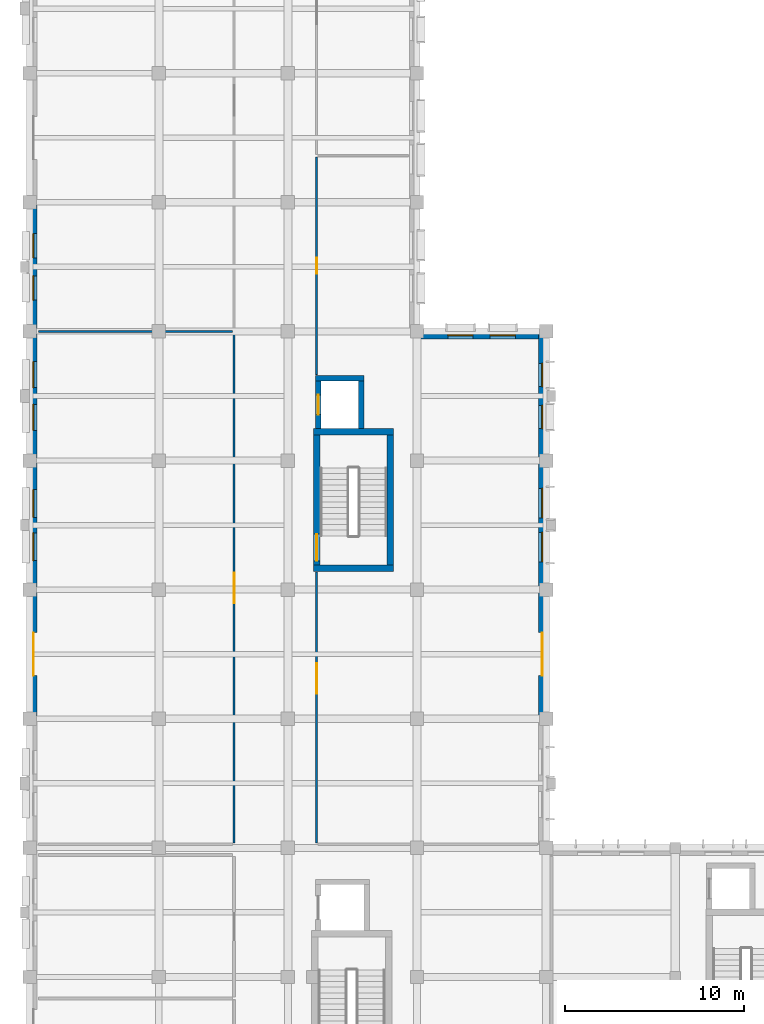
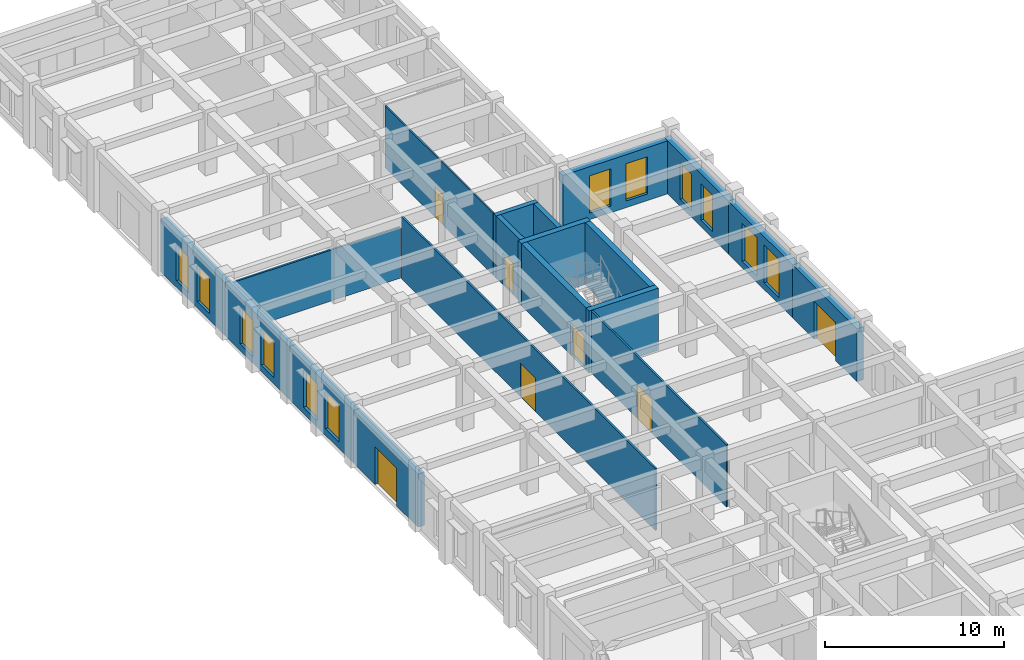
# One storey, part 28 of 43: 19 walls, 12 windows, 7 doors, 19 openings.
"""IFC4 building model written with IfcOpenShell, lengths in metres."""

from ifc_helpers import new_model, si_unit, direction, frame, frame_2d, origin, place, context, subcontext, project, spatial, rectangle, extrude, material, layer, layer_set, type_object, element, fill, save


model = new_model("IFC4")

# Units and contexts
model_context = context("Model", 3, precision=1e-05, world=origin(), true_north=direction((0.0, 1.0)))
body_context = subcontext(model_context, "Body", "Model", "MODEL_VIEW")
ifc_project = project(units=[si_unit("LENGTHUNIT", "METRE"), si_unit("AREAUNIT", "SQUARE_METRE"), si_unit("VOLUMEUNIT", "CUBIC_METRE"), si_unit("PLANEANGLEUNIT", "RADIAN"), si_unit("MASSUNIT", "GRAM", prefix="KILO")], contexts=[model_context])

# Site, building, storey
site_placement = place(None, origin())
site = spatial("IfcSite", under=ifc_project, at=site_placement, CompositionType="ELEMENT")
building_placement = place(site_placement, origin())
building = spatial("IfcBuilding", under=site, at=building_placement, Name="Alvorim Cloister Faculty of Sciences", CompositionType="ELEMENT")
storey_placement = place(building_placement, origin())
storey = spatial("IfcBuildingStorey", under=building, at=storey_placement, Name="L00", CompositionType="ELEMENT", Elevation=0.0)

# Wall, opening, door
ifc_material_1 = material(Name="Maua Grey Granite Stone", Category="masonry")
ifc_layer_1 = layer(ifc_material_1, 0.419921875)
ifc_layer_set_1 = layer_set([ifc_layer_1], Name="Maua Grey Granite Stone")
wall_type_1 = type_object("IfcWallType", Name="WL-EXT-GRN-420", PredefinedType="SOLIDWALL", material=ifc_layer_set_1)
wall_1_placement = place(storey_placement, frame((0.2099609375, 63.60009765625, 0.0), z_axis=(0.0, 0.0, 1.0), x_axis=(0.0, 1.0, 0.0)))
wall_1 = element("IfcWall", 1, at=wall_1_placement, inside=storey, type_object=wall_type_1, Name="L00 Exterior Wall WL-0037", PredefinedType="SOLIDWALL", context=body_context, shape_type="SweptSolid", body=[
    extrude(rectangle(XDim=7.199951171875, YDim=0.419921875, at=frame_2d((3.60009765625, 0.0))), origin(), (0.0, 0.0, 1.0), 3.6201171875),
])
opening_1_placement = place(wall_1_placement, frame((2.39990234375, 0.0, 0.0)))
opening_1 = element("IfcOpeningElement", 2, at=opening_1_placement, cuts=wall_1, Name="Opening ED-10", PredefinedType="OPENING", context=body_context, shape_type="SweptSolid", body=[
    extrude(rectangle(XDim=2.39990234375, YDim=2.60009765625, at=frame_2d((1.199951171875, 1.300048828125))), frame((0.0, 0.221923828125, 0.0), z_axis=(0.0, -1.0, 0.0), x_axis=(1.0, 0.0, 0.0)), (0.0, 0.0, 1.0), 0.44384765625),
])
ifc_material_2 = material(Name="Aluminium Alloy 6063-T6", Category="aluminium")
door_type_1 = type_object("IfcDoorType", Name="DR-EXIT-2400x2600", OperationType="NOTDEFINED", PredefinedType="DOOR", material=ifc_material_2)
door_1_placement = place(opening_1_placement, origin())
door_1 = element("IfcDoor", 3, at=door_1_placement, inside=storey, type_object=door_type_1, Name="Learning Commons South-West Entrance ED-10", OperationType="DOUBLE_DOOR_SINGLE_SWING", OverallHeight=2.60009765625, OverallWidth=2.39990234375, PredefinedType="DOOR", context=body_context, shape_type="SweptSolid", body=[
    extrude(rectangle(XDim=2.39990234375, YDim=2.60009765625, at=frame_2d((1.199951171875, 1.300048828125))), frame((0.0, 0.02490234375, 0.0), z_axis=(0.0, -1.0, 0.0), x_axis=(1.0, 0.0, 0.0)), (0.0, 0.0, 1.0), 0.050048828125),
])
fill(opening_1, door_1)

# Wall, openings, windows
wall_2_placement = place(storey_placement, frame((0.2099609375, 70.800048828125, 0.0), z_axis=(0.0, 0.0, 1.0), x_axis=(0.0, 1.0, 0.0)))
wall_2 = element("IfcWall", 4, at=wall_2_placement, inside=storey, type_object=wall_type_1, Name="L00 Exterior Wall WL-0038", PredefinedType="SOLIDWALL", context=body_context, shape_type="SweptSolid", body=[
    extrude(rectangle(XDim=7.199951171875, YDim=0.419921875, at=frame_2d((3.60009765625, 0.0))), origin(), (0.0, 0.0, 1.0), 3.6201171875),
])
opening_2_placement = place(wall_2_placement, frame((1.61669921875, 0.0, 0.449951171875)))
opening_2 = element("IfcOpeningElement", 5, at=opening_2_placement, cuts=wall_2, Name="Opening W-16", PredefinedType="OPENING", context=body_context, shape_type="SweptSolid", body=[
    extrude(rectangle(XDim=1.550048828125, YDim=2.550048828125, at=frame_2d((0.77490234375, 1.27490234375))), frame((0.0, 0.221923828125, 0.0), z_axis=(0.0, -1.0, 0.0), x_axis=(1.0, 0.0, 0.0)), (0.0, 0.0, 1.0), 0.44384765625),
])
opening_3_placement = place(wall_2_placement, frame((4.033203125, 0.0, 0.449951171875)))
opening_3 = element("IfcOpeningElement", 6, at=opening_3_placement, cuts=wall_2, Name="Opening W-16", PredefinedType="OPENING", context=body_context, shape_type="SweptSolid", body=[
    extrude(rectangle(XDim=1.550048828125, YDim=2.550048828125, at=frame_2d((0.77490234375, 1.27490234375))), frame((0.0, 0.221923828125, 0.0), z_axis=(0.0, -1.0, 0.0), x_axis=(1.0, 0.0, 0.0)), (0.0, 0.0, 1.0), 0.44384765625),
])
ifc_material_3 = material(Name="Double Low-E Laminated Glass", Category="glass")
window_type_1 = type_object("IfcWindowType", Name="WN-LAB-1550x2550", PartitioningType="SINGLE_PANEL", PredefinedType="WINDOW", material=ifc_material_3)
window_1_placement = place(opening_2_placement, origin())
window_1 = element("IfcWindow", 7, at=window_1_placement, inside=storey, type_object=window_type_1, Name="L00 Gothic Lancet Window WN-0028", OverallHeight=2.550048828125, OverallWidth=1.550048828125, PartitioningType="SINGLE_PANEL", PredefinedType="WINDOW", context=body_context, shape_type="SweptSolid", body=[
    extrude(rectangle(XDim=1.550048828125, YDim=2.550048828125, at=frame_2d((0.77490234375, 1.27490234375))), frame((0.0, 0.030029296875, 0.0), z_axis=(0.0, -1.0, 0.0), x_axis=(1.0, 0.0, 0.0)), (0.0, 0.0, 1.0), 0.06005859375),
])
fill(opening_2, window_1)
window_2_placement = place(opening_3_placement, origin())
window_2 = element("IfcWindow", 8, at=window_2_placement, inside=storey, type_object=window_type_1, Name="L00 Gothic Lancet Window WN-0029", OverallHeight=2.550048828125, OverallWidth=1.550048828125, PartitioningType="SINGLE_PANEL", PredefinedType="WINDOW", context=body_context, shape_type="SweptSolid", body=[
    extrude(rectangle(XDim=1.550048828125, YDim=2.550048828125, at=frame_2d((0.77490234375, 1.27490234375))), frame((0.0, 0.030029296875, 0.0), z_axis=(0.0, -1.0, 0.0), x_axis=(1.0, 0.0, 0.0)), (0.0, 0.0, 1.0), 0.06005859375),
])
fill(opening_3, window_2)

wall_3_placement = place(storey_placement, frame((0.2099609375, 78.0, 0.0), z_axis=(0.0, 0.0, 1.0), x_axis=(0.0, 1.0, 0.0)))
wall_3 = element("IfcWall", 9, at=wall_3_placement, inside=storey, type_object=wall_type_1, Name="L00 Exterior Wall WL-0039", PredefinedType="SOLIDWALL", context=body_context, shape_type="SweptSolid", body=[
    extrude(rectangle(XDim=7.199951171875, YDim=0.419921875, at=frame_2d((3.60009765625, 0.0))), origin(), (0.0, 0.0, 1.0), 3.6201171875),
])
opening_4_placement = place(wall_3_placement, frame((1.683349609375, 0.0, 0.449951171875)))
opening_4 = element("IfcOpeningElement", 10, at=opening_4_placement, cuts=wall_3, Name="Opening W-17", PredefinedType="OPENING", context=body_context, shape_type="SweptSolid", body=[
    extrude(rectangle(XDim=1.449951171875, YDim=2.5, at=frame_2d((0.72509765625, 1.25))), frame((0.0, 0.221923828125, 0.0), z_axis=(0.0, -1.0, 0.0), x_axis=(1.0, 0.0, 0.0)), (0.0, 0.0, 1.0), 0.44384765625),
])
opening_5_placement = place(wall_3_placement, frame((4.066650390625, 0.0, 0.449951171875)))
opening_5 = element("IfcOpeningElement", 11, at=opening_5_placement, cuts=wall_3, Name="Opening W-17", PredefinedType="OPENING", context=body_context, shape_type="SweptSolid", body=[
    extrude(rectangle(XDim=1.449951171875, YDim=2.5, at=frame_2d((0.72509765625, 1.25))), frame((0.0, 0.221923828125, 0.0), z_axis=(0.0, -1.0, 0.0), x_axis=(1.0, 0.0, 0.0)), (0.0, 0.0, 1.0), 0.44384765625),
])
window_type_2 = type_object("IfcWindowType", Name="WN-LAB-1450x2500", PartitioningType="SINGLE_PANEL", PredefinedType="WINDOW", material=ifc_material_3)
window_3_placement = place(opening_4_placement, origin())
window_3 = element("IfcWindow", 12, at=window_3_placement, inside=storey, type_object=window_type_2, Name="L00 Gothic Lancet Window WN-0030", OverallHeight=2.5, OverallWidth=1.449951171875, PartitioningType="SINGLE_PANEL", PredefinedType="WINDOW", context=body_context, shape_type="SweptSolid", body=[
    extrude(rectangle(XDim=1.449951171875, YDim=2.5, at=frame_2d((0.72509765625, 1.25))), frame((0.0, 0.030029296875, 0.0), z_axis=(0.0, -1.0, 0.0), x_axis=(1.0, 0.0, 0.0)), (0.0, 0.0, 1.0), 0.06005859375),
])
fill(opening_4, window_3)
window_4_placement = place(opening_5_placement, origin())
window_4 = element("IfcWindow", 13, at=window_4_placement, inside=storey, type_object=window_type_2, Name="L00 Gothic Lancet Window WN-0031", OverallHeight=2.5, OverallWidth=1.449951171875, PartitioningType="SINGLE_PANEL", PredefinedType="WINDOW", context=body_context, shape_type="SweptSolid", body=[
    extrude(rectangle(XDim=1.449951171875, YDim=2.5, at=frame_2d((0.72509765625, 1.25))), frame((0.0, 0.030029296875, 0.0), z_axis=(0.0, -1.0, 0.0), x_axis=(1.0, 0.0, 0.0)), (0.0, 0.0, 1.0), 0.06005859375),
])
fill(opening_5, window_4)

wall_4_placement = place(storey_placement, frame((0.2099609375, 85.199951171875, 0.0), z_axis=(0.0, 0.0, 1.0), x_axis=(0.0, 1.0, 0.0)))
wall_4 = element("IfcWall", 14, at=wall_4_placement, inside=storey, type_object=wall_type_1, Name="L00 Exterior Wall WL-0040", PredefinedType="SOLIDWALL", context=body_context, shape_type="SweptSolid", body=[
    extrude(rectangle(XDim=7.199951171875, YDim=0.419921875, at=frame_2d((3.60009765625, 0.0))), origin(), (0.0, 0.0, 1.0), 3.6201171875),
])
opening_6_placement = place(wall_4_placement, frame((1.75, 0.0, 0.449951171875)))
opening_6 = element("IfcOpeningElement", 15, at=opening_6_placement, cuts=wall_4, Name="Opening W-18", PredefinedType="OPENING", context=body_context, shape_type="SweptSolid", body=[
    extrude(rectangle(XDim=1.35009765625, YDim=2.449951171875, at=frame_2d((0.675048828125, 1.22509765625))), frame((0.0, 0.221923828125, 0.0), z_axis=(0.0, -1.0, 0.0), x_axis=(1.0, 0.0, 0.0)), (0.0, 0.0, 1.0), 0.44384765625),
])
opening_7_placement = place(wall_4_placement, frame((4.10009765625, 0.0, 0.449951171875)))
opening_7 = element("IfcOpeningElement", 16, at=opening_7_placement, cuts=wall_4, Name="Opening W-18", PredefinedType="OPENING", context=body_context, shape_type="SweptSolid", body=[
    extrude(rectangle(XDim=1.35009765625, YDim=2.449951171875, at=frame_2d((0.675048828125, 1.22509765625))), frame((0.0, 0.221923828125, 0.0), z_axis=(0.0, -1.0, 0.0), x_axis=(1.0, 0.0, 0.0)), (0.0, 0.0, 1.0), 0.44384765625),
])
window_type_3 = type_object("IfcWindowType", Name="WN-LAB-1350x2450", PartitioningType="SINGLE_PANEL", PredefinedType="WINDOW", material=ifc_material_3)
window_5_placement = place(opening_6_placement, origin())
window_5 = element("IfcWindow", 17, at=window_5_placement, inside=storey, type_object=window_type_3, Name="L00 Gothic Lancet Window WN-0032", OverallHeight=2.449951171875, OverallWidth=1.35009765625, PartitioningType="SINGLE_PANEL", PredefinedType="WINDOW", context=body_context, shape_type="SweptSolid", body=[
    extrude(rectangle(XDim=1.35009765625, YDim=2.449951171875, at=frame_2d((0.675048828125, 1.22509765625))), frame((0.0, 0.030029296875, 0.0), z_axis=(0.0, -1.0, 0.0), x_axis=(1.0, 0.0, 0.0)), (0.0, 0.0, 1.0), 0.06005859375),
])
fill(opening_6, window_5)
window_6_placement = place(opening_7_placement, origin())
window_6 = element("IfcWindow", 18, at=window_6_placement, inside=storey, type_object=window_type_3, Name="L00 Gothic Lancet Window WN-0033", OverallHeight=2.449951171875, OverallWidth=1.35009765625, PartitioningType="SINGLE_PANEL", PredefinedType="WINDOW", context=body_context, shape_type="SweptSolid", body=[
    extrude(rectangle(XDim=1.35009765625, YDim=2.449951171875, at=frame_2d((0.675048828125, 1.22509765625))), frame((0.0, 0.030029296875, 0.0), z_axis=(0.0, -1.0, 0.0), x_axis=(1.0, 0.0, 0.0)), (0.0, 0.0, 1.0), 0.06005859375),
])
fill(opening_7, window_6)

wall_5_placement = place(storey_placement, frame((21.60009765625, 84.989990234375, 0.0), z_axis=(0.0, 0.0, 1.0), x_axis=(1.0, 0.0, 0.0)))
wall_5 = element("IfcWall", 19, at=wall_5_placement, inside=storey, type_object=wall_type_1, Name="L00 Exterior Wall WL-0051", PredefinedType="SOLIDWALL", context=body_context, shape_type="SweptSolid", body=[
    extrude(rectangle(XDim=7.199951171875, YDim=0.419921875, at=frame_2d((3.60009765625, 0.0))), origin(), (0.0, 0.0, 1.0), 3.6201171875),
])
opening_8_placement = place(wall_5_placement, frame((1.716796875, 0.0, 0.449951171875)))
opening_8 = element("IfcOpeningElement", 20, at=opening_8_placement, cuts=wall_5, Name="Opening W-13", PredefinedType="OPENING", context=body_context, shape_type="SweptSolid", body=[
    extrude(rectangle(XDim=1.39990234375, YDim=2.550048828125, at=frame_2d((0.699951171875, 1.27490234375))), frame((0.0, 0.221923828125, 0.0), z_axis=(0.0, -1.0, 0.0), x_axis=(1.0, 0.0, 0.0)), (0.0, 0.0, 1.0), 0.44384765625),
])
opening_9_placement = place(wall_5_placement, frame((4.083251953125, 0.0, 0.449951171875)))
opening_9 = element("IfcOpeningElement", 21, at=opening_9_placement, cuts=wall_5, Name="Opening W-13", PredefinedType="OPENING", context=body_context, shape_type="SweptSolid", body=[
    extrude(rectangle(XDim=1.39990234375, YDim=2.550048828125, at=frame_2d((0.699951171875, 1.27490234375))), frame((0.0, 0.221923828125, 0.0), z_axis=(0.0, -1.0, 0.0), x_axis=(1.0, 0.0, 0.0)), (0.0, 0.0, 1.0), 0.44384765625),
])
window_type_4 = type_object("IfcWindowType", Name="WN-LIB-1400x2550", PartitioningType="SINGLE_PANEL", PredefinedType="WINDOW", material=ifc_material_3)
window_7_placement = place(opening_8_placement, origin())
window_7 = element("IfcWindow", 22, at=window_7_placement, inside=storey, type_object=window_type_4, Name="L00 Gothic Lancet Window WN-0049", OverallHeight=2.550048828125, OverallWidth=1.39990234375, PartitioningType="SINGLE_PANEL", PredefinedType="WINDOW", context=body_context, shape_type="SweptSolid", body=[
    extrude(rectangle(XDim=1.39990234375, YDim=2.550048828125, at=frame_2d((0.699951171875, 1.27490234375))), frame((0.0, 0.030029296875, 0.0), z_axis=(0.0, -1.0, 0.0), x_axis=(1.0, 0.0, 0.0)), (0.0, 0.0, 1.0), 0.06005859375),
])
fill(opening_8, window_7)
window_8_placement = place(opening_9_placement, origin())
window_8 = element("IfcWindow", 23, at=window_8_placement, inside=storey, type_object=window_type_4, Name="L00 Gothic Lancet Window WN-0050", OverallHeight=2.550048828125, OverallWidth=1.39990234375, PartitioningType="SINGLE_PANEL", PredefinedType="WINDOW", context=body_context, shape_type="SweptSolid", body=[
    extrude(rectangle(XDim=1.39990234375, YDim=2.550048828125, at=frame_2d((0.699951171875, 1.27490234375))), frame((0.0, 0.030029296875, 0.0), z_axis=(0.0, -1.0, 0.0), x_axis=(1.0, 0.0, 0.0)), (0.0, 0.0, 1.0), 0.06005859375),
])
fill(opening_9, window_8)

wall_6_placement = place(storey_placement, frame((28.590087890625, 78.0, 0.0), z_axis=(0.0, 0.0, 1.0), x_axis=(0.0, 1.0, 0.0)))
wall_6 = element("IfcWall", 24, at=wall_6_placement, inside=storey, type_object=wall_type_1, Name="L00 Exterior Wall WL-0052", PredefinedType="SOLIDWALL", context=body_context, shape_type="SweptSolid", body=[
    extrude(rectangle(XDim=7.199951171875, YDim=0.419921875, at=frame_2d((3.60009765625, 0.0))), origin(), (0.0, 0.0, 1.0), 3.6201171875),
])
opening_10_placement = place(wall_6_placement, frame((1.783203125, 0.0, 0.449951171875)))
opening_10 = element("IfcOpeningElement", 25, at=opening_10_placement, cuts=wall_6, Name="Opening W-14", PredefinedType="OPENING", context=body_context, shape_type="SweptSolid", body=[
    extrude(rectangle(XDim=1.300048828125, YDim=2.5, at=frame_2d((0.64990234375, 1.25))), frame((0.0, 0.221923828125, 0.0), z_axis=(0.0, -1.0, 0.0), x_axis=(1.0, 0.0, 0.0)), (0.0, 0.0, 1.0), 0.44384765625),
])
opening_11_placement = place(wall_6_placement, frame((4.11669921875, 0.0, 0.449951171875)))
opening_11 = element("IfcOpeningElement", 26, at=opening_11_placement, cuts=wall_6, Name="Opening W-14", PredefinedType="OPENING", context=body_context, shape_type="SweptSolid", body=[
    extrude(rectangle(XDim=1.300048828125, YDim=2.5, at=frame_2d((0.64990234375, 1.25))), frame((0.0, 0.221923828125, 0.0), z_axis=(0.0, -1.0, 0.0), x_axis=(1.0, 0.0, 0.0)), (0.0, 0.0, 1.0), 0.44384765625),
])
window_type_5 = type_object("IfcWindowType", Name="WN-LIB-1300x2500", PartitioningType="SINGLE_PANEL", PredefinedType="WINDOW", material=ifc_material_3)
window_9_placement = place(opening_10_placement, origin())
window_9 = element("IfcWindow", 27, at=window_9_placement, inside=storey, type_object=window_type_5, Name="L00 Gothic Lancet Window WN-0051", OverallHeight=2.5, OverallWidth=1.300048828125, PartitioningType="SINGLE_PANEL", PredefinedType="WINDOW", context=body_context, shape_type="SweptSolid", body=[
    extrude(rectangle(XDim=1.300048828125, YDim=2.5, at=frame_2d((0.64990234375, 1.25))), frame((0.0, 0.030029296875, 0.0), z_axis=(0.0, -1.0, 0.0), x_axis=(1.0, 0.0, 0.0)), (0.0, 0.0, 1.0), 0.06005859375),
])
fill(opening_10, window_9)
window_10_placement = place(opening_11_placement, origin())
window_10 = element("IfcWindow", 28, at=window_10_placement, inside=storey, type_object=window_type_5, Name="L00 Gothic Lancet Window WN-0052", OverallHeight=2.5, OverallWidth=1.300048828125, PartitioningType="SINGLE_PANEL", PredefinedType="WINDOW", context=body_context, shape_type="SweptSolid", body=[
    extrude(rectangle(XDim=1.300048828125, YDim=2.5, at=frame_2d((0.64990234375, 1.25))), frame((0.0, 0.030029296875, 0.0), z_axis=(0.0, -1.0, 0.0), x_axis=(1.0, 0.0, 0.0)), (0.0, 0.0, 1.0), 0.06005859375),
])
fill(opening_11, window_10)

wall_7_placement = place(storey_placement, frame((28.590087890625, 70.800048828125, 0.0), z_axis=(0.0, 0.0, 1.0), x_axis=(0.0, 1.0, 0.0)))
wall_7 = element("IfcWall", 29, at=wall_7_placement, inside=storey, type_object=wall_type_1, Name="L00 Exterior Wall WL-0053", PredefinedType="SOLIDWALL", context=body_context, shape_type="SweptSolid", body=[
    extrude(rectangle(XDim=7.199951171875, YDim=0.419921875, at=frame_2d((3.60009765625, 0.0))), origin(), (0.0, 0.0, 1.0), 3.6201171875),
])
opening_12_placement = place(wall_7_placement, frame((1.550048828125, 0.0, 0.449951171875)))
opening_12 = element("IfcOpeningElement", 30, at=opening_12_placement, cuts=wall_7, Name="Opening W-15", PredefinedType="OPENING", context=body_context, shape_type="SweptSolid", body=[
    extrude(rectangle(XDim=1.64990234375, YDim=2.60009765625, at=frame_2d((0.824951171875, 1.300048828125))), frame((0.0, 0.221923828125, 0.0), z_axis=(0.0, -1.0, 0.0), x_axis=(1.0, 0.0, 0.0)), (0.0, 0.0, 1.0), 0.44384765625),
])
opening_13_placement = place(wall_7_placement, frame((4.0, 0.0, 0.449951171875)))
opening_13 = element("IfcOpeningElement", 31, at=opening_13_placement, cuts=wall_7, Name="Opening W-15", PredefinedType="OPENING", context=body_context, shape_type="SweptSolid", body=[
    extrude(rectangle(XDim=1.64990234375, YDim=2.60009765625, at=frame_2d((0.824951171875, 1.300048828125))), frame((0.0, 0.221923828125, 0.0), z_axis=(0.0, -1.0, 0.0), x_axis=(1.0, 0.0, 0.0)), (0.0, 0.0, 1.0), 0.44384765625),
])
window_type_6 = type_object("IfcWindowType", Name="WN-LAB-1650x2600", PartitioningType="SINGLE_PANEL", PredefinedType="WINDOW", material=ifc_material_3)
window_11_placement = place(opening_12_placement, origin())
window_11 = element("IfcWindow", 32, at=window_11_placement, inside=storey, type_object=window_type_6, Name="L00 Gothic Lancet Window WN-0053", OverallHeight=2.60009765625, OverallWidth=1.64990234375, PartitioningType="SINGLE_PANEL", PredefinedType="WINDOW", context=body_context, shape_type="SweptSolid", body=[
    extrude(rectangle(XDim=1.64990234375, YDim=2.60009765625, at=frame_2d((0.824951171875, 1.300048828125))), frame((0.0, 0.030029296875, 0.0), z_axis=(0.0, -1.0, 0.0), x_axis=(1.0, 0.0, 0.0)), (0.0, 0.0, 1.0), 0.06005859375),
])
fill(opening_12, window_11)
window_12_placement = place(opening_13_placement, origin())
window_12 = element("IfcWindow", 33, at=window_12_placement, inside=storey, type_object=window_type_6, Name="L00 Gothic Lancet Window WN-0054", OverallHeight=2.60009765625, OverallWidth=1.64990234375, PartitioningType="SINGLE_PANEL", PredefinedType="WINDOW", context=body_context, shape_type="SweptSolid", body=[
    extrude(rectangle(XDim=1.64990234375, YDim=2.60009765625, at=frame_2d((0.824951171875, 1.300048828125))), frame((0.0, 0.030029296875, 0.0), z_axis=(0.0, -1.0, 0.0), x_axis=(1.0, 0.0, 0.0)), (0.0, 0.0, 1.0), 0.06005859375),
])
fill(opening_13, window_12)

# Wall, opening, door
wall_8_placement = place(storey_placement, frame((28.590087890625, 63.60009765625, 0.0), z_axis=(0.0, 0.0, 1.0), x_axis=(0.0, 1.0, 0.0)))
wall_8 = element("IfcWall", 34, at=wall_8_placement, inside=storey, type_object=wall_type_1, Name="L00 Exterior Wall WL-0054", PredefinedType="SOLIDWALL", context=body_context, shape_type="SweptSolid", body=[
    extrude(rectangle(XDim=7.199951171875, YDim=0.419921875, at=frame_2d((3.60009765625, 0.0))), origin(), (0.0, 0.0, 1.0), 3.6201171875),
])
opening_14_placement = place(wall_8_placement, frame((2.39990234375, 0.0, 0.0)))
opening_14 = element("IfcOpeningElement", 35, at=opening_14_placement, cuts=wall_8, Name="Opening SG-03", PredefinedType="OPENING", context=body_context, shape_type="SweptSolid", body=[
    extrude(rectangle(XDim=2.39990234375, YDim=2.60009765625, at=frame_2d((1.199951171875, 1.300048828125))), frame((0.0, 0.221923828125, 0.0), z_axis=(0.0, -1.0, 0.0), x_axis=(1.0, 0.0, 0.0)), (0.0, 0.0, 1.0), 0.44384765625),
])
ifc_material_4 = material(Name="Galvanised Steel Sheet", Category="steel")
door_type_2 = type_object("IfcDoorType", Name="DR-GATE-2400x2600", OperationType="NOTDEFINED", PredefinedType="GATE", material=ifc_material_4)
door_2_placement = place(opening_14_placement, origin())
door_2 = element("IfcDoor", 36, at=door_2_placement, inside=storey, type_object=door_type_2, Name="Commons Servicing Gate SG-03", OperationType="DOUBLE_DOOR_SINGLE_SWING", OverallHeight=2.60009765625, OverallWidth=2.39990234375, PredefinedType="GATE", context=body_context, shape_type="SweptSolid", body=[
    extrude(rectangle(XDim=2.39990234375, YDim=2.60009765625, at=frame_2d((1.199951171875, 1.300048828125))), frame((0.0, 0.02490234375, 0.0), z_axis=(0.0, -1.0, 0.0), x_axis=(1.0, 0.0, 0.0)), (0.0, 0.0, 1.0), 0.050048828125),
])
fill(opening_14, door_2)

ifc_material_5 = material(Name="Moisture-Resistant Tile Stud Partition", Category="gypsum")
ifc_layer_2 = layer(ifc_material_5, 0.10009765625)
ifc_layer_set_2 = layer_set([ifc_layer_2], Name="Moisture-Resistant Tile Stud Partition")
wall_type_2 = type_object("IfcWallType", Name="WL-PRT-100", PredefinedType="PARTITIONING", material=ifc_layer_set_2)
wall_9_placement = place(storey_placement, frame((16.0, 82.7900390625, 0.0), z_axis=(0.0, 0.0, 1.0), x_axis=(0.0, 1.0, 0.0)))
wall_9 = element("IfcWall", 37, at=wall_9_placement, inside=storey, type_object=wall_type_2, Name="L00 Commons Accessible WCs and Copy Suite Partition IWL-0483", PredefinedType="PARTITIONING", context=body_context, shape_type="SweptSolid", body=[
    extrude(rectangle(XDim=12.1298828125, YDim=0.10009765625, at=frame_2d((6.06494140625, 0.0))), origin(), (0.0, 0.0, 1.0), 4.235107421875),
])
opening_15_placement = place(wall_9_placement, frame((5.614990234375, 0.0, 0.0)))
opening_15 = element("IfcOpeningElement", 38, at=opening_15_placement, cuts=wall_9, Name="Opening D-L00-094", PredefinedType="OPENING", context=body_context, shape_type="SweptSolid", body=[
    extrude(rectangle(XDim=0.89990234375, YDim=2.10009765625, at=frame_2d((0.449951171875, 1.050048828125))), frame((0.0, 0.06201171875, 0.0), z_axis=(0.0, -1.0, 0.0), x_axis=(1.0, 0.0, 0.0)), (0.0, 0.0, 1.0), 0.1240234375),
])
ifc_material_6 = material(Name="Moisture-Resistant Laminate Timber", Category="wood")
door_type_3 = type_object("IfcDoorType", Name="DR-WC-900x2100", OperationType="NOTDEFINED", PredefinedType="DOOR", material=ifc_material_6)
door_3_placement = place(opening_15_placement, origin())
door_3 = element("IfcDoor", 39, at=door_3_placement, inside=storey, type_object=door_type_3, Name="Commons Accessible WCs and Copy Suite Door D-L00-094", OperationType="SINGLE_SWING_LEFT", OverallHeight=2.10009765625, OverallWidth=0.89990234375, PredefinedType="DOOR", context=body_context, shape_type="SweptSolid", body=[
    extrude(rectangle(XDim=0.89990234375, YDim=2.10009765625, at=frame_2d((0.449951171875, 1.050048828125))), frame((0.0, 0.02490234375, 0.0), z_axis=(0.0, -1.0, 0.0), x_axis=(1.0, 0.0, 0.0)), (0.0, 0.0, 1.0), 0.050048828125),
])
fill(opening_15, door_3)

ifc_material_7 = material(Name="Acoustic Gypsum Stud Partition", Category="gypsum")
ifc_layer_3 = layer(ifc_material_7, 0.1201171875)
ifc_layer_set_3 = layer_set([ifc_layer_3], Name="Acoustic Gypsum Stud Partition")
wall_type_3 = type_object("IfcWallType", Name="WL-PRT-120", PredefinedType="PARTITIONING", material=ifc_layer_set_3)
wall_10_placement = place(storey_placement, frame((11.39990234375, 56.679931640625, 0.0), z_axis=(0.0, 0.0, 1.0), x_axis=(0.0, 1.0, 0.0)))
wall_10 = element("IfcWall", 40, at=wall_10_placement, inside=storey, type_object=wall_type_3, Name="L00 24-Hour Learning Commons Ground Reading Hall Partition IWL-0478", PredefinedType="PARTITIONING", context=body_context, shape_type="SweptSolid", body=[
    extrude(rectangle(XDim=28.440185546875, YDim=0.1201171875, at=frame_2d((14.22021484375, 0.0))), origin(), (0.0, 0.0, 1.0), 4.235107421875),
])
opening_16_placement = place(wall_10_placement, frame((13.3701171875, 0.0, 0.0)))
opening_16 = element("IfcOpeningElement", 41, at=opening_16_placement, cuts=wall_10, Name="Opening D-L00-091", PredefinedType="OPENING", context=body_context, shape_type="SweptSolid", body=[
    extrude(rectangle(XDim=1.699951171875, YDim=2.280029296875, at=frame_2d((0.85009765625, 1.14013671875))), frame((0.0, 0.072021484375, 0.0), z_axis=(0.0, -1.0, 0.0), x_axis=(1.0, 0.0, 0.0)), (0.0, 0.0, 1.0), 0.14404296875),
])
ifc_material_8 = material(Name="Solid Acoustic Oak Timber", Category="wood")
door_type_4 = type_object("IfcDoorType", Name="DR-HALL-1700x2280", OperationType="NOTDEFINED", PredefinedType="DOOR", material=ifc_material_8)
door_4_placement = place(opening_16_placement, origin())
door_4 = element("IfcDoor", 42, at=door_4_placement, inside=storey, type_object=door_type_4, Name="24-Hour Learning Commons Ground Reading Hall Door D-L00-091", OperationType="DOUBLE_DOOR_SINGLE_SWING", OverallHeight=2.280029296875, OverallWidth=1.699951171875, PredefinedType="DOOR", context=body_context, shape_type="SweptSolid", body=[
    extrude(rectangle(XDim=1.699951171875, YDim=2.280029296875, at=frame_2d((0.85009765625, 1.14013671875))), frame((0.0, 0.02490234375, 0.0), z_axis=(0.0, -1.0, 0.0), x_axis=(1.0, 0.0, 0.0)), (0.0, 0.0, 1.0), 0.050048828125),
])
fill(opening_16, door_4)

# Wall
wall_11_placement = place(storey_placement, frame((0.47998046875, 85.199951171875, 0.0), z_axis=(0.0, 0.0, 1.0), x_axis=(1.0, 0.0, 0.0)))
element("IfcWall", 43, at=wall_11_placement, inside=storey, type_object=wall_type_3, Name="L00 24-Hour Learning Commons Ground Reading Hall Partition IWL-0479", PredefinedType="PARTITIONING", context=body_context, shape_type="SweptSolid", body=[
    extrude(rectangle(XDim=10.840087890625, YDim=0.1201171875, at=frame_2d((5.419921875, 0.0))), origin(), (0.0, 0.0, 1.0), 3.485107421875),
])

# Wall, opening, door
wall_12_placement = place(storey_placement, frame((16.0, 56.679931640625, 0.0), z_axis=(0.0, 0.0, 1.0), x_axis=(0.0, 1.0, 0.0)))
wall_12 = element("IfcWall", 44, at=wall_12_placement, inside=storey, type_object=wall_type_3, Name="L00 Circulation Desk and Reserve Collection Partition IWL-0481", PredefinedType="PARTITIONING", context=body_context, shape_type="SweptSolid", body=[
    extrude(rectangle(XDim=15.10009765625, YDim=0.1201171875, at=frame_2d((7.550048828125, 0.0))), origin(), (0.0, 0.0, 1.0), 4.235107421875),
])
opening_17_placement = place(wall_12_placement, frame((8.320068359375, 0.0, 0.0)))
opening_17 = element("IfcOpeningElement", 45, at=opening_17_placement, cuts=wall_12, Name="Opening D-L00-093", PredefinedType="OPENING", context=body_context, shape_type="SweptSolid", body=[
    extrude(rectangle(XDim=1.699951171875, YDim=2.280029296875, at=frame_2d((0.85009765625, 1.14013671875))), frame((0.0, 0.072021484375, 0.0), z_axis=(0.0, -1.0, 0.0), x_axis=(1.0, 0.0, 0.0)), (0.0, 0.0, 1.0), 0.14404296875),
])
door_5_placement = place(opening_17_placement, origin())
door_5 = element("IfcDoor", 46, at=door_5_placement, inside=storey, type_object=door_type_4, Name="Circulation Desk and Reserve Collection Door D-L00-093", OperationType="DOUBLE_DOOR_SINGLE_SWING", OverallHeight=2.280029296875, OverallWidth=1.699951171875, PredefinedType="DOOR", context=body_context, shape_type="SweptSolid", body=[
    extrude(rectangle(XDim=1.699951171875, YDim=2.280029296875, at=frame_2d((0.85009765625, 1.14013671875))), frame((0.0, 0.02490234375, 0.0), z_axis=(0.0, -1.0, 0.0), x_axis=(1.0, 0.0, 0.0)), (0.0, 0.0, 1.0), 0.050048828125),
])
fill(opening_17, door_5)

# Wall
ifc_material_9 = material(Name="Concrete C40", Category="concrete")
ifc_layer_4 = layer(ifc_material_9, 0.300048828125)
ifc_layer_set_4 = layer_set([ifc_layer_4], Name="Concrete C40")
wall_type_4 = type_object("IfcWallType", Name="WL-SHR-300", PredefinedType="SHEAR", material=ifc_layer_set_4)
wall_13_placement = place(storey_placement, frame((15.949951171875, 82.60009765625, 0.0), z_axis=(0.0, 0.0, 1.0), x_axis=(1.0, 0.0, 0.0)))
element("IfcWall", 47, at=wall_13_placement, inside=storey, type_object=wall_type_4, Name="L00 Lift LP-05 Shaft Wall IWL-0365", PredefinedType="SHEAR", context=body_context, shape_type="SweptSolid", body=[
    extrude(rectangle(XDim=2.699951171875, YDim=0.300048828125, at=frame_2d((1.35009765625, 0.0))), origin(), (0.0, 0.0, 1.0), 4.25),
])

# Wall, opening, door
wall_14_placement = place(storey_placement, frame((16.10009765625, 79.780029296875, 0.0), z_axis=(0.0, 0.0, 1.0), x_axis=(0.0, 1.0, 0.0)))
wall_14 = element("IfcWall", 48, at=wall_14_placement, inside=storey, type_object=wall_type_4, Name="L00 Lift LP-05 Shaft Wall IWL-0366", PredefinedType="SHEAR", context=body_context, shape_type="SweptSolid", body=[
    extrude(rectangle(XDim=2.669921875, YDim=0.300048828125, at=frame_2d((1.3349609375, 0.0))), origin(), (0.0, 0.0, 1.0), 4.25),
])
opening_18_placement = place(wall_14_placement, frame((0.784912109375, 0.0, 0.0)))
opening_18 = element("IfcOpeningElement", 49, at=opening_18_placement, cuts=wall_14, Name="Opening LD-052", PredefinedType="OPENING", context=body_context, shape_type="SweptSolid", body=[
    extrude(rectangle(XDim=1.10009765625, YDim=2.199951171875, at=frame_2d((0.550048828125, 1.10009765625))), frame((0.0, 0.162109375, 0.0), z_axis=(0.0, -1.0, 0.0), x_axis=(1.0, 0.0, 0.0)), (0.0, 0.0, 1.0), 0.323974609375),
])
ifc_material_10 = material(Name="Brushed Stainless Steel", Category="steel")
door_type_5 = type_object("IfcDoorType", Name="DR-LFT-1100x2200", OperationType="NOTDEFINED", PredefinedType="DOOR", material=ifc_material_10)
door_6_placement = place(opening_18_placement, origin())
door_6 = element("IfcDoor", 50, at=door_6_placement, inside=storey, type_object=door_type_5, Name="L00 Lift LP-05 Sliding Landing Door LD-052", OperationType="DOUBLE_DOOR_SLIDING", OverallHeight=2.199951171875, OverallWidth=1.10009765625, PredefinedType="DOOR", context=body_context, shape_type="SweptSolid", body=[
    extrude(rectangle(XDim=1.10009765625, YDim=2.199951171875, at=frame_2d((0.550048828125, 1.10009765625))), frame((0.0, 0.02490234375, 0.0), z_axis=(0.0, -1.0, 0.0), x_axis=(1.0, 0.0, 0.0)), (0.0, 0.0, 1.0), 0.050048828125),
])
fill(opening_18, door_6)

# Walls
wall_15_placement = place(storey_placement, frame((18.5, 79.780029296875, 0.0), z_axis=(0.0, 0.0, 1.0), x_axis=(0.0, 1.0, 0.0)))
element("IfcWall", 51, at=wall_15_placement, inside=storey, type_object=wall_type_4, Name="L00 Lift LP-05 Shaft Wall IWL-0367", PredefinedType="SHEAR", context=body_context, shape_type="SweptSolid", body=[
    extrude(rectangle(XDim=2.669921875, YDim=0.300048828125, at=frame_2d((1.3349609375, 0.0))), origin(), (0.0, 0.0, 1.0), 4.25),
])
ifc_layer_5 = layer(ifc_material_9, 0.360107421875)
ifc_layer_set_5 = layer_set([ifc_layer_5], Name="Concrete C40")
wall_type_5 = type_object("IfcWallType", Name="WL-SHR-360", PredefinedType="SHEAR", material=ifc_layer_set_5)
for number, where, z_axis, x_axis, name in (
    (52, (15.820068359375, 72.0, 0.0), (0.0, 0.0, 1.0), (1.0, 0.0, 0.0), "L00 CORE K5 Shear Wall IWL-0165"),
    (53, (15.820068359375, 79.60009765625, 0.0), (0.0, 0.0, 1.0), (1.0, 0.0, 0.0), "L00 CORE K5 Shear Wall IWL-0166"),
):
    element("IfcWall", number, at=place(storey_placement, frame(where, z_axis=z_axis, x_axis=x_axis)), inside=storey, type_object=wall_type_5, Name=name, PredefinedType="SHEAR", context=body_context, shape_type="SweptSolid", body=[
        extrude(rectangle(XDim=4.47998046875, YDim=0.360107421875, at=frame_2d((2.239990234375, 0.0))), origin(), (0.0, 0.0, 1.0), 4.25),
    ])

# Wall, opening, door
wall_16_placement = place(storey_placement, frame((16.0, 72.179931640625, 0.0), z_axis=(0.0, 0.0, 1.0), x_axis=(0.0, 1.0, 0.0)))
wall_16 = element("IfcWall", 54, at=wall_16_placement, inside=storey, type_object=wall_type_5, Name="L00 CORE K5 Shear Wall IWL-0167", PredefinedType="SHEAR", context=body_context, shape_type="SweptSolid", body=[
    extrude(rectangle(XDim=7.239990234375, YDim=0.360107421875, at=frame_2d((3.6201171875, 0.0))), origin(), (0.0, 0.0, 1.0), 4.25),
])
opening_19_placement = place(wall_16_placement, frame((0.219970703125, 0.0, 0.0)))
opening_19 = element("IfcOpeningElement", 55, at=opening_19_placement, cuts=wall_16, Name="Opening SD-K5-L00", PredefinedType="OPENING", context=body_context, shape_type="SweptSolid", body=[
    extrude(rectangle(XDim=1.5, YDim=2.199951171875, at=frame_2d((0.75, 1.10009765625))), frame((0.0, 0.19189453125, 0.0), z_axis=(0.0, -1.0, 0.0), x_axis=(1.0, 0.0, 0.0)), (0.0, 0.0, 1.0), 0.384033203125),
])
ifc_material_11 = material(Name="Galvanised Fire-Rated Steel", Category="steel")
door_type_6 = type_object("IfcDoorType", Name="DR-STR-1500x2200", OperationType="NOTDEFINED", PredefinedType="DOOR", material=ifc_material_11)
door_7_placement = place(opening_19_placement, origin())
door_7 = element("IfcDoor", 56, at=door_7_placement, inside=storey, type_object=door_type_6, Name="L00 Stair ST-05 Fire Door SD-K5-L00", OperationType="DOUBLE_DOOR_SINGLE_SWING", OverallHeight=2.199951171875, OverallWidth=1.5, PredefinedType="DOOR", context=body_context, shape_type="SweptSolid", body=[
    extrude(rectangle(XDim=1.5, YDim=2.199951171875, at=frame_2d((0.75, 1.10009765625))), frame((0.0, 0.02490234375, 0.0), z_axis=(0.0, -1.0, 0.0), x_axis=(1.0, 0.0, 0.0)), (0.0, 0.0, 1.0), 0.050048828125),
])
fill(opening_19, door_7)

# Wall
wall_17_placement = place(storey_placement, frame((20.1201171875, 72.179931640625, 0.0), z_axis=(0.0, 0.0, 1.0), x_axis=(0.0, 1.0, 0.0)))
element("IfcWall", 57, at=wall_17_placement, inside=storey, type_object=wall_type_5, Name="L00 CORE K5 Shear Wall IWL-0168", PredefinedType="SHEAR", context=body_context, shape_type="SweptSolid", body=[
    extrude(rectangle(XDim=7.239990234375, YDim=0.360107421875, at=frame_2d((3.6201171875, 0.0))), origin(), (0.0, 0.0, 1.0), 4.25),
])

save(model, "model.ifc")
